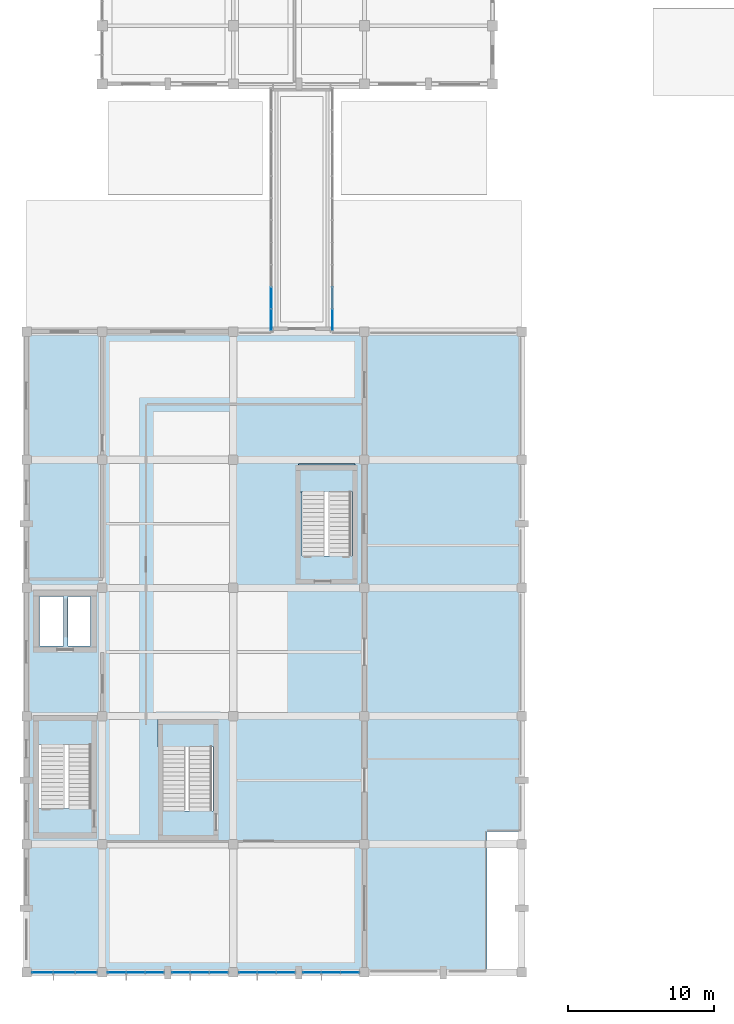
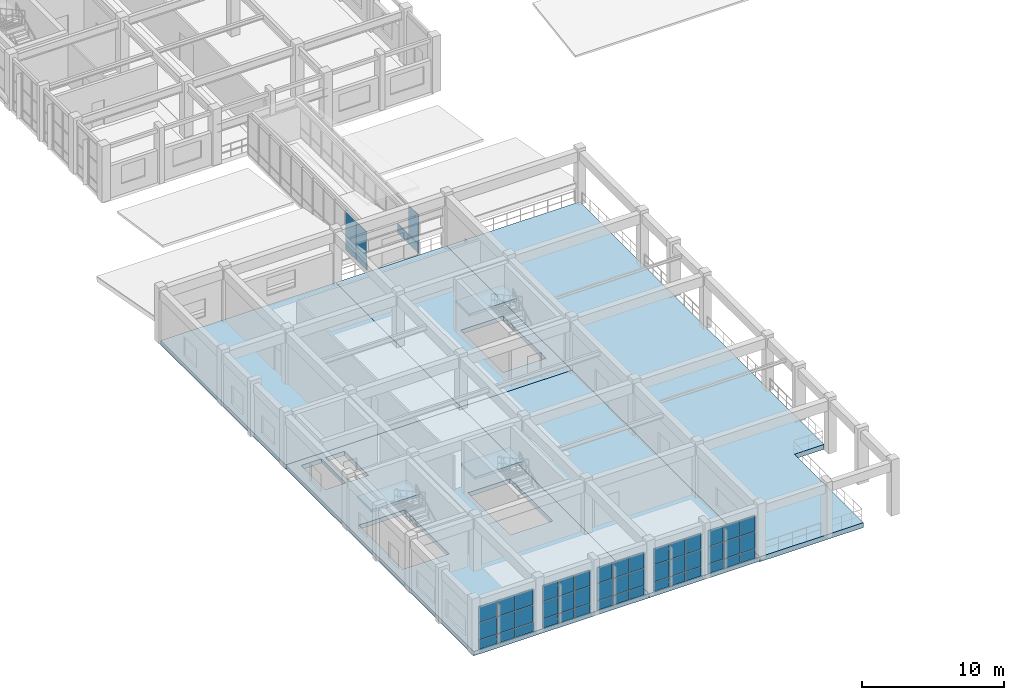
# One storey, part 70 of 104: 52 plates, 8 slabs, 10 elements without a shape of their own.
"""IFC4 building model written with IfcOpenShell, lengths in metres."""

from ifc_helpers import new_model, si_unit, direction, frame, origin, origin_2d, place, context, subcontext, project, spatial, polyline, rectangle, outline, extrude, material, layer, layer_set, type_object, element, aggregate, save


model = new_model("IFC4")

# Units and contexts
model_context = context("Model", 3, precision=1e-05, world=origin(), true_north=direction((0.0, 1.0)))
body_context = subcontext(model_context, "Body", "Model", "MODEL_VIEW")
ifc_project = project(units=[si_unit("LENGTHUNIT", "METRE"), si_unit("AREAUNIT", "SQUARE_METRE"), si_unit("VOLUMEUNIT", "CUBIC_METRE"), si_unit("PLANEANGLEUNIT", "RADIAN"), si_unit("MASSUNIT", "GRAM", prefix="KILO")], contexts=[model_context])

# Site, building, storey
site_placement = place(None, origin())
site = spatial("IfcSite", under=ifc_project, at=site_placement, CompositionType="ELEMENT")
building_placement = place(site_placement, origin())
building = spatial("IfcBuilding", under=site, at=building_placement, Name="Ventoquebrada Cableway Terminal", CompositionType="ELEMENT")
storey_placement = place(building_placement, frame((0.0, 0.0, 4.800048828125)))
storey = spatial("IfcBuildingStorey", under=building, at=storey_placement, Name="L01", CompositionType="ELEMENT", Elevation=4.800048828125)

# Curtain wall, plates
ifc_material_1 = material(Name="Anodized thermally-broken aluminium", Category="aluminium")
ifc_layer_1 = layer(ifc_material_1, 0.159912109375)
ifc_layer_set_1 = layer_set([ifc_layer_1], Name="Anodized thermally-broken aluminium")
curtain_wall_type_1 = type_object("IfcCurtainWallType", Name="CW-T05", PredefinedType="USERDEFINED", material=ifc_layer_set_1)
curtain_wall_1_placement = place(storey_placement, origin())
curtain_wall_1 = element("IfcCurtainWall", 1, at=curtain_wall_1_placement, inside=storey, type_object=curtain_wall_type_1, Name="Unitised glazed curtain wall CW-009", ObjectType="UNITISED CURTAIN WALL", PredefinedType="USERDEFINED")
ifc_material_2 = material(Name="Double low-e laminated safety glazing", Category="glass")
ifc_layer_2 = layer(ifc_material_2, 0.031982421875)
ifc_layer_set_2 = layer_set([ifc_layer_2], Name="Double low-e laminated safety glazing")
plate_type_1 = type_object("IfcPlateType", Name="CWP-GL1", PredefinedType="CURTAIN_PANEL", material=ifc_layer_set_2)
plate_1_placement = place(storey_placement, frame((4.10400390625, 3.0, 2.364501953125), z_axis=(0.0, 0.0, 1.0), x_axis=(1.0, 0.0, 0.0)))
plate_1 = element("IfcPlate", 2, at=plate_1_placement, type_object=plate_type_1, Name="Vision glazing panel PN-0075", PredefinedType="CURTAIN_PANEL", context=body_context, shape_type="SweptSolid", body=[
    extrude(rectangle(XDim=1.428955078125, YDim=0.031982421875, at=origin_2d()), origin(), (0.0, 0.0, 1.0), 1.35107421875),
])
plate_2_placement = place(storey_placement, frame((5.60009765625, 3.0, 0.87451171875), z_axis=(0.0, 0.0, 1.0), x_axis=(1.0, 0.0, 0.0)))
plate_2 = element("IfcPlate", 3, at=plate_2_placement, type_object=plate_type_1, Name="Vision glazing panel PN-0077", PredefinedType="CURTAIN_PANEL", context=body_context, shape_type="SweptSolid", body=[
    extrude(rectangle(XDim=1.464111328125, YDim=0.031982421875, at=origin_2d()), origin(), (0.0, 0.0, 1.0), 1.44091796875),
])
plate_3_placement = place(storey_placement, frame((7.095947265625, 3.0, 2.364501953125), z_axis=(0.0, 0.0, 1.0), x_axis=(1.0, 0.0, 0.0)))
plate_3 = element("IfcPlate", 4, at=plate_3_placement, type_object=plate_type_1, Name="Vision glazing panel PN-0081", PredefinedType="CURTAIN_PANEL", context=body_context, shape_type="SweptSolid", body=[
    extrude(rectangle(XDim=1.428955078125, YDim=0.031982421875, at=origin_2d()), origin(), (0.0, 0.0, 1.0), 1.35107421875),
])

ifc_layer_3 = layer(ifc_material_1, 0.159912109375)
ifc_layer_set_3 = layer_set([ifc_layer_3], Name="Anodized thermally-broken aluminium")
curtain_wall_type_2 = type_object("IfcCurtainWallType", Name="CW-T06", PredefinedType="USERDEFINED", material=ifc_layer_set_3)
curtain_wall_2_placement = place(storey_placement, origin())
curtain_wall_2 = element("IfcCurtainWall", 5, at=curtain_wall_2_placement, inside=storey, type_object=curtain_wall_type_2, Name="Unitised glazed curtain wall CW-010", ObjectType="UNITISED CURTAIN WALL", PredefinedType="USERDEFINED")
plate_4_placement = place(storey_placement, frame((9.2041015625, 3.0, 2.364501953125), z_axis=(0.0, 0.0, 1.0), x_axis=(1.0, 0.0, 0.0)))
plate_4 = element("IfcPlate", 6, at=plate_4_placement, type_object=plate_type_1, Name="Vision glazing panel PN-0084", PredefinedType="CURTAIN_PANEL", context=body_context, shape_type="SweptSolid", body=[
    extrude(rectangle(XDim=1.22900390625, YDim=0.031982421875, at=origin_2d()), origin(), (0.0, 0.0, 1.0), 1.35107421875),
])
plate_5_placement = place(storey_placement, frame((10.5, 3.0, 0.87451171875), z_axis=(0.0, 0.0, 1.0), x_axis=(1.0, 0.0, 0.0)))
plate_5 = element("IfcPlate", 7, at=plate_5_placement, type_object=plate_type_1, Name="Vision glazing panel PN-0086", PredefinedType="CURTAIN_PANEL", context=body_context, shape_type="SweptSolid", body=[
    extrude(rectangle(XDim=1.263916015625, YDim=0.031982421875, at=origin_2d()), origin(), (0.0, 0.0, 1.0), 1.44091796875),
])
plate_6_placement = place(storey_placement, frame((11.7958984375, 3.0, 2.364501953125), z_axis=(0.0, 0.0, 1.0), x_axis=(1.0, 0.0, 0.0)))
plate_6 = element("IfcPlate", 8, at=plate_6_placement, type_object=plate_type_1, Name="Vision glazing panel PN-0090", PredefinedType="CURTAIN_PANEL", context=body_context, shape_type="SweptSolid", body=[
    extrude(rectangle(XDim=1.22900390625, YDim=0.031982421875, at=origin_2d()), origin(), (0.0, 0.0, 1.0), 1.35107421875),
])

curtain_wall_3_placement = place(storey_placement, origin())
curtain_wall_3 = element("IfcCurtainWall", 9, at=curtain_wall_3_placement, inside=storey, type_object=curtain_wall_type_2, Name="Unitised glazed curtain wall CW-011", ObjectType="UNITISED CURTAIN WALL", PredefinedType="USERDEFINED")
plate_7_placement = place(storey_placement, frame((13.60400390625, 3.0, 2.364501953125), z_axis=(0.0, 0.0, 1.0), x_axis=(1.0, 0.0, 0.0)))
plate_7 = element("IfcPlate", 10, at=plate_7_placement, type_object=plate_type_1, Name="Vision glazing panel PN-0093", PredefinedType="CURTAIN_PANEL", context=body_context, shape_type="SweptSolid", body=[
    extrude(rectangle(XDim=1.22900390625, YDim=0.031982421875, at=origin_2d()), origin(), (0.0, 0.0, 1.0), 1.35107421875),
])
plate_8_placement = place(storey_placement, frame((14.89990234375, 3.0, 0.87451171875), z_axis=(0.0, 0.0, 1.0), x_axis=(1.0, 0.0, 0.0)))
plate_8 = element("IfcPlate", 11, at=plate_8_placement, type_object=plate_type_1, Name="Vision glazing panel PN-0095", PredefinedType="CURTAIN_PANEL", context=body_context, shape_type="SweptSolid", body=[
    extrude(rectangle(XDim=1.263916015625, YDim=0.031982421875, at=origin_2d()), origin(), (0.0, 0.0, 1.0), 1.44091796875),
])
plate_9_placement = place(storey_placement, frame((16.196044921875, 3.0, 2.364501953125), z_axis=(0.0, 0.0, 1.0), x_axis=(1.0, 0.0, 0.0)))
plate_9 = element("IfcPlate", 12, at=plate_9_placement, type_object=plate_type_1, Name="Vision glazing panel PN-0099", PredefinedType="CURTAIN_PANEL", context=body_context, shape_type="SweptSolid", body=[
    extrude(rectangle(XDim=1.22900390625, YDim=0.031982421875, at=origin_2d()), origin(), (0.0, 0.0, 1.0), 1.35107421875),
])

curtain_wall_4_placement = place(storey_placement, origin())
curtain_wall_4 = element("IfcCurtainWall", 13, at=curtain_wall_4_placement, inside=storey, type_object=curtain_wall_type_2, Name="Unitised glazed curtain wall CW-012", ObjectType="UNITISED CURTAIN WALL", PredefinedType="USERDEFINED")
plate_10_placement = place(storey_placement, frame((18.2041015625, 3.0, 2.364501953125), z_axis=(0.0, 0.0, 1.0), x_axis=(1.0, 0.0, 0.0)))
plate_10 = element("IfcPlate", 14, at=plate_10_placement, type_object=plate_type_1, Name="Vision glazing panel PN-0102", PredefinedType="CURTAIN_PANEL", context=body_context, shape_type="SweptSolid", body=[
    extrude(rectangle(XDim=1.22900390625, YDim=0.031982421875, at=origin_2d()), origin(), (0.0, 0.0, 1.0), 1.35107421875),
])
plate_11_placement = place(storey_placement, frame((19.5, 3.0, 0.87451171875), z_axis=(0.0, 0.0, 1.0), x_axis=(1.0, 0.0, 0.0)))
plate_11 = element("IfcPlate", 15, at=plate_11_placement, type_object=plate_type_1, Name="Vision glazing panel PN-0104", PredefinedType="CURTAIN_PANEL", context=body_context, shape_type="SweptSolid", body=[
    extrude(rectangle(XDim=1.263916015625, YDim=0.031982421875, at=origin_2d()), origin(), (0.0, 0.0, 1.0), 1.44091796875),
])
plate_12_placement = place(storey_placement, frame((20.7958984375, 3.0, 2.364501953125), z_axis=(0.0, 0.0, 1.0), x_axis=(1.0, 0.0, 0.0)))
plate_12 = element("IfcPlate", 16, at=plate_12_placement, type_object=plate_type_1, Name="Vision glazing panel PN-0108", PredefinedType="CURTAIN_PANEL", context=body_context, shape_type="SweptSolid", body=[
    extrude(rectangle(XDim=1.22900390625, YDim=0.031982421875, at=origin_2d()), origin(), (0.0, 0.0, 1.0), 1.35107421875),
])

curtain_wall_5_placement = place(storey_placement, origin())
curtain_wall_5 = element("IfcCurtainWall", 17, at=curtain_wall_5_placement, inside=storey, type_object=curtain_wall_type_2, Name="Unitised glazed curtain wall CW-013", ObjectType="UNITISED CURTAIN WALL", PredefinedType="USERDEFINED")
plate_13_placement = place(storey_placement, frame((22.60400390625, 3.0, 2.364501953125), z_axis=(0.0, 0.0, 1.0), x_axis=(1.0, 0.0, 0.0)))
plate_13 = element("IfcPlate", 18, at=plate_13_placement, type_object=plate_type_1, Name="Vision glazing panel PN-0111", PredefinedType="CURTAIN_PANEL", context=body_context, shape_type="SweptSolid", body=[
    extrude(rectangle(XDim=1.22900390625, YDim=0.031982421875, at=origin_2d()), origin(), (0.0, 0.0, 1.0), 1.35107421875),
])
plate_14_placement = place(storey_placement, frame((23.89990234375, 3.0, 0.87451171875), z_axis=(0.0, 0.0, 1.0), x_axis=(1.0, 0.0, 0.0)))
plate_14 = element("IfcPlate", 19, at=plate_14_placement, type_object=plate_type_1, Name="Vision glazing panel PN-0113", PredefinedType="CURTAIN_PANEL", context=body_context, shape_type="SweptSolid", body=[
    extrude(rectangle(XDim=1.263916015625, YDim=0.031982421875, at=origin_2d()), origin(), (0.0, 0.0, 1.0), 1.44091796875),
])
plate_15_placement = place(storey_placement, frame((25.196044921875, 3.0, 2.364501953125), z_axis=(0.0, 0.0, 1.0), x_axis=(1.0, 0.0, 0.0)))
plate_15 = element("IfcPlate", 20, at=plate_15_placement, type_object=plate_type_1, Name="Vision glazing panel PN-0117", PredefinedType="CURTAIN_PANEL", context=body_context, shape_type="SweptSolid", body=[
    extrude(rectangle(XDim=1.22900390625, YDim=0.031982421875, at=origin_2d()), origin(), (0.0, 0.0, 1.0), 1.35107421875),
])

# Curtain wall, plate
ifc_layer_4 = layer(ifc_material_1, 0.159912109375)
ifc_layer_set_4 = layer_set([ifc_layer_4], Name="Anodized thermally-broken aluminium")
curtain_wall_type_3 = type_object("IfcCurtainWallType", Name="CW-T51", PredefinedType="USERDEFINED", material=ifc_layer_set_4)
curtain_wall_6_placement = place(storey_placement, origin())
curtain_wall_6 = element("IfcCurtainWall", 21, at=curtain_wall_6_placement, inside=storey, type_object=curtain_wall_type_3, Name="Unitised glazed curtain wall CW-169", ObjectType="UNITISED CURTAIN WALL", PredefinedType="USERDEFINED")
plate_16_placement = place(storey_placement, frame((19.800048828125, 49.322998046875, 0.87158203125), z_axis=(0.0, 0.0, 1.0), x_axis=(0.0, 1.0, 0.0)))
plate_16 = element("IfcPlate", 22, at=plate_16_placement, type_object=plate_type_1, Name="Vision glazing panel PN-1750", PredefinedType="CURTAIN_PANEL", context=body_context, shape_type="SweptSolid", body=[
    extrude(rectangle(XDim=1.47509765625, YDim=0.031982421875, at=origin_2d()), origin(), (0.0, 0.0, 1.0), 2.470947265625),
])

# Plate
ifc_layer_5 = layer(ifc_material_2, 0.0380859375)
ifc_layer_set_5 = layer_set([ifc_layer_5], Name="Double low-e laminated safety glazing")
plate_type_2 = type_object("IfcPlateType", Name="CWP-GL2", PredefinedType="CURTAIN_PANEL", material=ifc_layer_set_5)
plate_17_placement = place(storey_placement, frame((4.10400390625, 3.0, 0.87451171875), z_axis=(0.0, 0.0, 1.0), x_axis=(1.0, 0.0, 0.0)))
plate_17 = element("IfcPlate", 23, at=plate_17_placement, type_object=plate_type_2, Name="Vision glazing panel PN-0074", PredefinedType="CURTAIN_PANEL", context=body_context, shape_type="SweptSolid", body=[
    extrude(rectangle(XDim=1.428955078125, YDim=0.0380859375, at=origin_2d()), origin(), (0.0, 0.0, 1.0), 1.44091796875),
])

plate_18_placement = place(storey_placement, frame((5.60009765625, 3.0, 2.364501953125), z_axis=(0.0, 0.0, 1.0), x_axis=(1.0, 0.0, 0.0)))
plate_18 = element("IfcPlate", 24, at=plate_18_placement, type_object=plate_type_2, Name="Vision glazing panel PN-0078", PredefinedType="CURTAIN_PANEL", context=body_context, shape_type="SweptSolid", body=[
    extrude(rectangle(XDim=1.464111328125, YDim=0.0380859375, at=origin_2d()), origin(), (0.0, 0.0, 1.0), 1.35107421875),
])

plate_19_placement = place(storey_placement, frame((7.095947265625, 3.0, 0.87451171875), z_axis=(0.0, 0.0, 1.0), x_axis=(1.0, 0.0, 0.0)))
plate_19 = element("IfcPlate", 25, at=plate_19_placement, type_object=plate_type_2, Name="Vision glazing panel PN-0080", PredefinedType="CURTAIN_PANEL", context=body_context, shape_type="SweptSolid", body=[
    extrude(rectangle(XDim=1.428955078125, YDim=0.0380859375, at=origin_2d()), origin(), (0.0, 0.0, 1.0), 1.44091796875),
])

plate_20_placement = place(storey_placement, frame((9.2041015625, 3.0, 0.87451171875), z_axis=(0.0, 0.0, 1.0), x_axis=(1.0, 0.0, 0.0)))
plate_20 = element("IfcPlate", 26, at=plate_20_placement, type_object=plate_type_2, Name="Vision glazing panel PN-0083", PredefinedType="CURTAIN_PANEL", context=body_context, shape_type="SweptSolid", body=[
    extrude(rectangle(XDim=1.22900390625, YDim=0.0380859375, at=origin_2d()), origin(), (0.0, 0.0, 1.0), 1.44091796875),
])

plate_21_placement = place(storey_placement, frame((10.5, 3.0, 2.364501953125), z_axis=(0.0, 0.0, 1.0), x_axis=(1.0, 0.0, 0.0)))
plate_21 = element("IfcPlate", 27, at=plate_21_placement, type_object=plate_type_2, Name="Vision glazing panel PN-0087", PredefinedType="CURTAIN_PANEL", context=body_context, shape_type="SweptSolid", body=[
    extrude(rectangle(XDim=1.263916015625, YDim=0.0380859375, at=origin_2d()), origin(), (0.0, 0.0, 1.0), 1.35107421875),
])

plate_22_placement = place(storey_placement, frame((11.7958984375, 3.0, 0.87451171875), z_axis=(0.0, 0.0, 1.0), x_axis=(1.0, 0.0, 0.0)))
plate_22 = element("IfcPlate", 28, at=plate_22_placement, type_object=plate_type_2, Name="Vision glazing panel PN-0089", PredefinedType="CURTAIN_PANEL", context=body_context, shape_type="SweptSolid", body=[
    extrude(rectangle(XDim=1.22900390625, YDim=0.0380859375, at=origin_2d()), origin(), (0.0, 0.0, 1.0), 1.44091796875),
])

plate_23_placement = place(storey_placement, frame((13.60400390625, 3.0, 0.87451171875), z_axis=(0.0, 0.0, 1.0), x_axis=(1.0, 0.0, 0.0)))
plate_23 = element("IfcPlate", 29, at=plate_23_placement, type_object=plate_type_2, Name="Vision glazing panel PN-0092", PredefinedType="CURTAIN_PANEL", context=body_context, shape_type="SweptSolid", body=[
    extrude(rectangle(XDim=1.22900390625, YDim=0.0380859375, at=origin_2d()), origin(), (0.0, 0.0, 1.0), 1.44091796875),
])

plate_24_placement = place(storey_placement, frame((14.89990234375, 3.0, 2.364501953125), z_axis=(0.0, 0.0, 1.0), x_axis=(1.0, 0.0, 0.0)))
plate_24 = element("IfcPlate", 30, at=plate_24_placement, type_object=plate_type_2, Name="Vision glazing panel PN-0096", PredefinedType="CURTAIN_PANEL", context=body_context, shape_type="SweptSolid", body=[
    extrude(rectangle(XDim=1.263916015625, YDim=0.0380859375, at=origin_2d()), origin(), (0.0, 0.0, 1.0), 1.35107421875),
])

plate_25_placement = place(storey_placement, frame((16.196044921875, 3.0, 0.87451171875), z_axis=(0.0, 0.0, 1.0), x_axis=(1.0, 0.0, 0.0)))
plate_25 = element("IfcPlate", 31, at=plate_25_placement, type_object=plate_type_2, Name="Vision glazing panel PN-0098", PredefinedType="CURTAIN_PANEL", context=body_context, shape_type="SweptSolid", body=[
    extrude(rectangle(XDim=1.22900390625, YDim=0.0380859375, at=origin_2d()), origin(), (0.0, 0.0, 1.0), 1.44091796875),
])

plate_26_placement = place(storey_placement, frame((18.2041015625, 3.0, 0.87451171875), z_axis=(0.0, 0.0, 1.0), x_axis=(1.0, 0.0, 0.0)))
plate_26 = element("IfcPlate", 32, at=plate_26_placement, type_object=plate_type_2, Name="Vision glazing panel PN-0101", PredefinedType="CURTAIN_PANEL", context=body_context, shape_type="SweptSolid", body=[
    extrude(rectangle(XDim=1.22900390625, YDim=0.0380859375, at=origin_2d()), origin(), (0.0, 0.0, 1.0), 1.44091796875),
])

plate_27_placement = place(storey_placement, frame((19.5, 3.0, 2.364501953125), z_axis=(0.0, 0.0, 1.0), x_axis=(1.0, 0.0, 0.0)))
plate_27 = element("IfcPlate", 33, at=plate_27_placement, type_object=plate_type_2, Name="Vision glazing panel PN-0105", PredefinedType="CURTAIN_PANEL", context=body_context, shape_type="SweptSolid", body=[
    extrude(rectangle(XDim=1.263916015625, YDim=0.0380859375, at=origin_2d()), origin(), (0.0, 0.0, 1.0), 1.35107421875),
])

plate_28_placement = place(storey_placement, frame((20.7958984375, 3.0, 0.87451171875), z_axis=(0.0, 0.0, 1.0), x_axis=(1.0, 0.0, 0.0)))
plate_28 = element("IfcPlate", 34, at=plate_28_placement, type_object=plate_type_2, Name="Vision glazing panel PN-0107", PredefinedType="CURTAIN_PANEL", context=body_context, shape_type="SweptSolid", body=[
    extrude(rectangle(XDim=1.22900390625, YDim=0.0380859375, at=origin_2d()), origin(), (0.0, 0.0, 1.0), 1.44091796875),
])

plate_29_placement = place(storey_placement, frame((22.60400390625, 3.0, 0.87451171875), z_axis=(0.0, 0.0, 1.0), x_axis=(1.0, 0.0, 0.0)))
plate_29 = element("IfcPlate", 35, at=plate_29_placement, type_object=plate_type_2, Name="Vision glazing panel PN-0110", PredefinedType="CURTAIN_PANEL", context=body_context, shape_type="SweptSolid", body=[
    extrude(rectangle(XDim=1.22900390625, YDim=0.0380859375, at=origin_2d()), origin(), (0.0, 0.0, 1.0), 1.44091796875),
])

plate_30_placement = place(storey_placement, frame((23.89990234375, 3.0, 2.364501953125), z_axis=(0.0, 0.0, 1.0), x_axis=(1.0, 0.0, 0.0)))
plate_30 = element("IfcPlate", 36, at=plate_30_placement, type_object=plate_type_2, Name="Vision glazing panel PN-0114", PredefinedType="CURTAIN_PANEL", context=body_context, shape_type="SweptSolid", body=[
    extrude(rectangle(XDim=1.263916015625, YDim=0.0380859375, at=origin_2d()), origin(), (0.0, 0.0, 1.0), 1.35107421875),
])

plate_31_placement = place(storey_placement, frame((25.196044921875, 3.0, 0.87451171875), z_axis=(0.0, 0.0, 1.0), x_axis=(1.0, 0.0, 0.0)))
plate_31 = element("IfcPlate", 37, at=plate_31_placement, type_object=plate_type_2, Name="Vision glazing panel PN-0116", PredefinedType="CURTAIN_PANEL", context=body_context, shape_type="SweptSolid", body=[
    extrude(rectangle(XDim=1.22900390625, YDim=0.0380859375, at=origin_2d()), origin(), (0.0, 0.0, 1.0), 1.44091796875),
])

plate_32_placement = place(storey_placement, frame((19.800048828125, 47.822021484375, 0.87158203125), z_axis=(0.0, 0.0, 1.0), x_axis=(0.0, 1.0, 0.0)))
plate_32 = element("IfcPlate", 38, at=plate_32_placement, type_object=plate_type_2, Name="Vision glazing panel PN-1748", PredefinedType="CURTAIN_PANEL", context=body_context, shape_type="SweptSolid", body=[
    extrude(rectangle(XDim=1.43994140625, YDim=0.0380859375, at=origin_2d()), origin(), (0.0, 0.0, 1.0), 2.470947265625),
])

# Curtain wall, plate
curtain_wall_7_placement = place(storey_placement, origin())
curtain_wall_7 = element("IfcCurtainWall", 39, at=curtain_wall_7_placement, inside=storey, type_object=curtain_wall_type_3, Name="Unitised glazed curtain wall CW-170", ObjectType="UNITISED CURTAIN WALL", PredefinedType="USERDEFINED")
plate_33_placement = place(storey_placement, frame((24.0, 47.822021484375, 0.87158203125), z_axis=(0.0, 0.0, 1.0), x_axis=(0.0, -1.0, 0.0)))
plate_33 = element("IfcPlate", 40, at=plate_33_placement, type_object=plate_type_2, Name="Vision glazing panel PN-1790", PredefinedType="CURTAIN_PANEL", context=body_context, shape_type="SweptSolid", body=[
    extrude(rectangle(XDim=1.43994140625, YDim=0.0380859375, at=origin_2d()), origin(), (0.0, 0.0, 1.0), 2.470947265625),
])

# Plate
ifc_material_3 = material(Name="Insulated aluminium spandrel cassette", Category="aluminium")
ifc_layer_6 = layer(ifc_material_3, 0.044921875)
ifc_layer_set_6 = layer_set([ifc_layer_6], Name="Insulated aluminium spandrel cassette")
plate_type_3 = type_object("IfcPlateType", Name="CWP-SP1", PredefinedType="CURTAIN_PANEL", material=ifc_layer_set_6)
plate_34_placement = place(storey_placement, frame((4.10400390625, 3.0, 0.058837890625), z_axis=(0.0, 0.0, 1.0), x_axis=(1.0, 0.0, 0.0)))
plate_34 = element("IfcPlate", 41, at=plate_34_placement, type_object=plate_type_3, Name="Insulated spandrel panel PN-0073", PredefinedType="CURTAIN_PANEL", context=body_context, shape_type="SweptSolid", body=[
    extrude(rectangle(XDim=1.428955078125, YDim=0.044921875, at=origin_2d()), origin(), (0.0, 0.0, 1.0), 0.76611328125),
])

plate_35_placement = place(storey_placement, frame((5.60009765625, 3.0, 0.058837890625), z_axis=(0.0, 0.0, 1.0), x_axis=(1.0, 0.0, 0.0)))
plate_35 = element("IfcPlate", 42, at=plate_35_placement, type_object=plate_type_3, Name="Insulated spandrel panel PN-0076", PredefinedType="CURTAIN_PANEL", context=body_context, shape_type="SweptSolid", body=[
    extrude(rectangle(XDim=1.464111328125, YDim=0.044921875, at=origin_2d()), origin(), (0.0, 0.0, 1.0), 0.76611328125),
])

plate_36_placement = place(storey_placement, frame((7.095947265625, 3.0, 0.058837890625), z_axis=(0.0, 0.0, 1.0), x_axis=(1.0, 0.0, 0.0)))
plate_36 = element("IfcPlate", 43, at=plate_36_placement, type_object=plate_type_3, Name="Insulated spandrel panel PN-0079", PredefinedType="CURTAIN_PANEL", context=body_context, shape_type="SweptSolid", body=[
    extrude(rectangle(XDim=1.428955078125, YDim=0.044921875, at=origin_2d()), origin(), (0.0, 0.0, 1.0), 0.76611328125),
])

aggregate(curtain_wall_1, [plate_34, plate_17, plate_1, plate_35, plate_2, plate_18, plate_36, plate_19, plate_3])

plate_37_placement = place(storey_placement, frame((9.2041015625, 3.0, 0.058837890625), z_axis=(0.0, 0.0, 1.0), x_axis=(1.0, 0.0, 0.0)))
plate_37 = element("IfcPlate", 44, at=plate_37_placement, type_object=plate_type_3, Name="Insulated spandrel panel PN-0082", PredefinedType="CURTAIN_PANEL", context=body_context, shape_type="SweptSolid", body=[
    extrude(rectangle(XDim=1.22900390625, YDim=0.044921875, at=origin_2d()), origin(), (0.0, 0.0, 1.0), 0.76611328125),
])

plate_38_placement = place(storey_placement, frame((10.5, 3.0, 0.058837890625), z_axis=(0.0, 0.0, 1.0), x_axis=(1.0, 0.0, 0.0)))
plate_38 = element("IfcPlate", 45, at=plate_38_placement, type_object=plate_type_3, Name="Insulated spandrel panel PN-0085", PredefinedType="CURTAIN_PANEL", context=body_context, shape_type="SweptSolid", body=[
    extrude(rectangle(XDim=1.263916015625, YDim=0.044921875, at=origin_2d()), origin(), (0.0, 0.0, 1.0), 0.76611328125),
])

plate_39_placement = place(storey_placement, frame((11.7958984375, 3.0, 0.058837890625), z_axis=(0.0, 0.0, 1.0), x_axis=(1.0, 0.0, 0.0)))
plate_39 = element("IfcPlate", 46, at=plate_39_placement, type_object=plate_type_3, Name="Insulated spandrel panel PN-0088", PredefinedType="CURTAIN_PANEL", context=body_context, shape_type="SweptSolid", body=[
    extrude(rectangle(XDim=1.22900390625, YDim=0.044921875, at=origin_2d()), origin(), (0.0, 0.0, 1.0), 0.76611328125),
])

aggregate(curtain_wall_2, [plate_37, plate_20, plate_4, plate_38, plate_5, plate_21, plate_39, plate_22, plate_6])

plate_40_placement = place(storey_placement, frame((13.60400390625, 3.0, 0.058837890625), z_axis=(0.0, 0.0, 1.0), x_axis=(1.0, 0.0, 0.0)))
plate_40 = element("IfcPlate", 47, at=plate_40_placement, type_object=plate_type_3, Name="Insulated spandrel panel PN-0091", PredefinedType="CURTAIN_PANEL", context=body_context, shape_type="SweptSolid", body=[
    extrude(rectangle(XDim=1.22900390625, YDim=0.044921875, at=origin_2d()), origin(), (0.0, 0.0, 1.0), 0.76611328125),
])

plate_41_placement = place(storey_placement, frame((14.89990234375, 3.0, 0.058837890625), z_axis=(0.0, 0.0, 1.0), x_axis=(1.0, 0.0, 0.0)))
plate_41 = element("IfcPlate", 48, at=plate_41_placement, type_object=plate_type_3, Name="Insulated spandrel panel PN-0094", PredefinedType="CURTAIN_PANEL", context=body_context, shape_type="SweptSolid", body=[
    extrude(rectangle(XDim=1.263916015625, YDim=0.044921875, at=origin_2d()), origin(), (0.0, 0.0, 1.0), 0.76611328125),
])

plate_42_placement = place(storey_placement, frame((16.196044921875, 3.0, 0.058837890625), z_axis=(0.0, 0.0, 1.0), x_axis=(1.0, 0.0, 0.0)))
plate_42 = element("IfcPlate", 49, at=plate_42_placement, type_object=plate_type_3, Name="Insulated spandrel panel PN-0097", PredefinedType="CURTAIN_PANEL", context=body_context, shape_type="SweptSolid", body=[
    extrude(rectangle(XDim=1.22900390625, YDim=0.044921875, at=origin_2d()), origin(), (0.0, 0.0, 1.0), 0.76611328125),
])

aggregate(curtain_wall_3, [plate_40, plate_23, plate_7, plate_41, plate_8, plate_24, plate_42, plate_25, plate_9])

plate_43_placement = place(storey_placement, frame((18.2041015625, 3.0, 0.058837890625), z_axis=(0.0, 0.0, 1.0), x_axis=(1.0, 0.0, 0.0)))
plate_43 = element("IfcPlate", 50, at=plate_43_placement, type_object=plate_type_3, Name="Insulated spandrel panel PN-0100", PredefinedType="CURTAIN_PANEL", context=body_context, shape_type="SweptSolid", body=[
    extrude(rectangle(XDim=1.22900390625, YDim=0.044921875, at=origin_2d()), origin(), (0.0, 0.0, 1.0), 0.76611328125),
])

plate_44_placement = place(storey_placement, frame((19.5, 3.0, 0.058837890625), z_axis=(0.0, 0.0, 1.0), x_axis=(1.0, 0.0, 0.0)))
plate_44 = element("IfcPlate", 51, at=plate_44_placement, type_object=plate_type_3, Name="Insulated spandrel panel PN-0103", PredefinedType="CURTAIN_PANEL", context=body_context, shape_type="SweptSolid", body=[
    extrude(rectangle(XDim=1.263916015625, YDim=0.044921875, at=origin_2d()), origin(), (0.0, 0.0, 1.0), 0.76611328125),
])

plate_45_placement = place(storey_placement, frame((20.7958984375, 3.0, 0.058837890625), z_axis=(0.0, 0.0, 1.0), x_axis=(1.0, 0.0, 0.0)))
plate_45 = element("IfcPlate", 52, at=plate_45_placement, type_object=plate_type_3, Name="Insulated spandrel panel PN-0106", PredefinedType="CURTAIN_PANEL", context=body_context, shape_type="SweptSolid", body=[
    extrude(rectangle(XDim=1.22900390625, YDim=0.044921875, at=origin_2d()), origin(), (0.0, 0.0, 1.0), 0.76611328125),
])

aggregate(curtain_wall_4, [plate_43, plate_26, plate_10, plate_44, plate_11, plate_27, plate_45, plate_28, plate_12])

plate_46_placement = place(storey_placement, frame((22.60400390625, 3.0, 0.058837890625), z_axis=(0.0, 0.0, 1.0), x_axis=(1.0, 0.0, 0.0)))
plate_46 = element("IfcPlate", 53, at=plate_46_placement, type_object=plate_type_3, Name="Insulated spandrel panel PN-0109", PredefinedType="CURTAIN_PANEL", context=body_context, shape_type="SweptSolid", body=[
    extrude(rectangle(XDim=1.22900390625, YDim=0.044921875, at=origin_2d()), origin(), (0.0, 0.0, 1.0), 0.76611328125),
])

plate_47_placement = place(storey_placement, frame((23.89990234375, 3.0, 0.058837890625), z_axis=(0.0, 0.0, 1.0), x_axis=(1.0, 0.0, 0.0)))
plate_47 = element("IfcPlate", 54, at=plate_47_placement, type_object=plate_type_3, Name="Insulated spandrel panel PN-0112", PredefinedType="CURTAIN_PANEL", context=body_context, shape_type="SweptSolid", body=[
    extrude(rectangle(XDim=1.263916015625, YDim=0.044921875, at=origin_2d()), origin(), (0.0, 0.0, 1.0), 0.76611328125),
])

plate_48_placement = place(storey_placement, frame((25.196044921875, 3.0, 0.058837890625), z_axis=(0.0, 0.0, 1.0), x_axis=(1.0, 0.0, 0.0)))
plate_48 = element("IfcPlate", 55, at=plate_48_placement, type_object=plate_type_3, Name="Insulated spandrel panel PN-0115", PredefinedType="CURTAIN_PANEL", context=body_context, shape_type="SweptSolid", body=[
    extrude(rectangle(XDim=1.22900390625, YDim=0.044921875, at=origin_2d()), origin(), (0.0, 0.0, 1.0), 0.76611328125),
])

aggregate(curtain_wall_5, [plate_46, plate_29, plate_13, plate_47, plate_14, plate_30, plate_48, plate_31, plate_15])

plate_49_placement = place(storey_placement, frame((19.800048828125, 47.822021484375, 0.056396484375), z_axis=(0.0, 0.0, 1.0), x_axis=(0.0, 1.0, 0.0)))
plate_49 = element("IfcPlate", 56, at=plate_49_placement, type_object=plate_type_3, Name="Insulated spandrel panel PN-1747", PredefinedType="CURTAIN_PANEL", context=body_context, shape_type="SweptSolid", body=[
    extrude(rectangle(XDim=1.43994140625, YDim=0.044921875, at=origin_2d()), origin(), (0.0, 0.0, 1.0), 0.77099609375),
])

plate_50_placement = place(storey_placement, frame((19.800048828125, 49.322998046875, 0.056396484375), z_axis=(0.0, 0.0, 1.0), x_axis=(0.0, 1.0, 0.0)))
plate_50 = element("IfcPlate", 57, at=plate_50_placement, type_object=plate_type_3, Name="Insulated spandrel panel PN-1749", PredefinedType="CURTAIN_PANEL", context=body_context, shape_type="SweptSolid", body=[
    extrude(rectangle(XDim=1.47509765625, YDim=0.044921875, at=origin_2d()), origin(), (0.0, 0.0, 1.0), 0.77099609375),
])

aggregate(curtain_wall_6, [plate_49, plate_32, plate_50, plate_16])

plate_51_placement = place(storey_placement, frame((24.0, 49.322998046875, 0.056396484375), z_axis=(0.0, 0.0, 1.0), x_axis=(0.0, -1.0, 0.0)))
plate_51 = element("IfcPlate", 58, at=plate_51_placement, type_object=plate_type_3, Name="Insulated spandrel panel PN-1787", PredefinedType="CURTAIN_PANEL", context=body_context, shape_type="SweptSolid", body=[
    extrude(rectangle(XDim=1.47509765625, YDim=0.044921875, at=origin_2d()), origin(), (0.0, 0.0, 1.0), 0.77099609375),
])

plate_52_placement = place(storey_placement, frame((24.0, 47.822021484375, 0.056396484375), z_axis=(0.0, 0.0, 1.0), x_axis=(0.0, -1.0, 0.0)))
plate_52 = element("IfcPlate", 59, at=plate_52_placement, type_object=plate_type_3, Name="Insulated spandrel panel PN-1789", PredefinedType="CURTAIN_PANEL", context=body_context, shape_type="SweptSolid", body=[
    extrude(rectangle(XDim=1.43994140625, YDim=0.044921875, at=origin_2d()), origin(), (0.0, 0.0, 1.0), 0.77099609375),
])

aggregate(curtain_wall_7, [plate_51, plate_52, plate_33])

# Slabs
ifc_material_4 = material(Name="Concrete C40/50", Category="concrete")
ifc_layer_7 = layer(ifc_material_4, 0.360107421875)
ifc_layer_set_7 = layer_set([ifc_layer_7], Name="Concrete C40/50")
slab_type_1 = type_object("IfcSlabType", Name="SL-FL1", PredefinedType="FLOOR", material=ifc_layer_set_7)
slab_1_placement = place(storey_placement, frame((0.0, 0.0, -0.360107421875)))
element("IfcSlab", 60, at=slab_1_placement, inside=storey, type_object=slab_type_1, Name="Reinforced concrete floor slab SL-007", PredefinedType="FLOOR", context=body_context, shape_type="SweptSolid", body=[
    extrude(outline(polyline([(17.199951171875, 29.39990234375), (3.0, 29.39990234375), (3.0, 3.0), (17.199951171875, 3.0), (17.199951171875, 29.39990234375)]), holes=[polyline([(3.75, 14.239990234375), (3.75, 20.449951171875), (7.5, 20.449951171875), (7.5, 14.239990234375), (3.75, 14.239990234375)]), polyline([(3.89990234375, 28.800048828125), (5.550048828125, 28.800048828125), (5.550048828125, 25.39990234375), (3.89990234375, 25.39990234375), (3.89990234375, 28.800048828125)]), polyline([(7.39990234375, 28.800048828125), (7.39990234375, 25.39990234375), (5.85009765625, 25.39990234375), (5.85009765625, 28.800048828125), (7.39990234375, 28.800048828125)]), polyline([(15.800048828125, 14.090087890625), (12.3798828125, 14.090087890625), (12.3798828125, 20.050048828125), (15.800048828125, 20.050048828125), (15.800048828125, 14.090087890625)])]), origin(), (0.0, 0.0, 1.0), 0.360107421875),
])
slab_2_placement = place(storey_placement, frame((0.0, 0.0, -0.360107421875)))
element("IfcSlab", 61, at=slab_2_placement, inside=storey, type_object=slab_type_1, Name="Reinforced concrete floor slab SL-008", PredefinedType="FLOOR", context=body_context, shape_type="SweptSolid", body=[
    extrude(outline(polyline([(17.199951171875, 29.39990234375), (17.199951171875, 47.0), (3.0, 47.0), (3.0, 29.39990234375), (17.199951171875, 29.39990234375)])), origin(), (0.0, 0.0, 1.0), 0.360107421875),
])
slab_3_placement = place(storey_placement, frame((0.0, 0.0, -0.360107421875)))
element("IfcSlab", 62, at=slab_3_placement, inside=storey, type_object=slab_type_1, Name="Reinforced concrete floor slab SL-009", PredefinedType="FLOOR", context=body_context, shape_type="SweptSolid", body=[
    extrude(outline(polyline([(26.199951171875, 3.0), (26.199951171875, 29.39990234375), (17.199951171875, 29.39990234375), (17.199951171875, 3.0), (26.199951171875, 3.0)])), origin(), (0.0, 0.0, 1.0), 0.360107421875),
])
slab_4_placement = place(storey_placement, frame((0.0, 0.0, -0.360107421875)))
element("IfcSlab", 63, at=slab_4_placement, inside=storey, type_object=slab_type_1, Name="Reinforced concrete floor slab SL-010", PredefinedType="FLOOR", context=body_context, shape_type="SweptSolid", body=[
    extrude(outline(polyline([(26.199951171875, 29.39990234375), (26.199951171875, 47.0), (17.199951171875, 47.0), (17.199951171875, 29.39990234375), (26.199951171875, 29.39990234375)]), holes=[polyline([(25.35009765625, 31.590087890625), (21.89990234375, 31.590087890625), (21.89990234375, 37.550048828125), (25.35009765625, 37.550048828125), (25.35009765625, 31.590087890625)])]), origin(), (0.0, 0.0, 1.0), 0.360107421875),
])

# Stair, slab
stair_type_1 = type_object("IfcStairType", Name="ST-T03", PredefinedType="HALF_TURN_STAIR", material=ifc_material_4)
stair_1_placement = place(storey_placement, origin())
stair_1 = element("IfcStair", 64, at=stair_1_placement, inside=storey, type_object=stair_type_1, Name="Protected half-turn stair ST-05", PredefinedType="HALF_TURN_STAIR")
ifc_layer_8 = layer(ifc_material_4, 0.219970703125)
ifc_layer_set_8 = layer_set([ifc_layer_8], Name="Concrete C40/50")
slab_type_2 = type_object("IfcSlabType", Name="SL-LD1", PredefinedType="LANDING", material=ifc_layer_set_8)
slab_5_placement = place(storey_placement, frame((0.0, 0.0, 2.179931640625)))
slab_5 = element("IfcSlab", 65, at=slab_5_placement, type_object=slab_type_2, Name="Intermediate stair landing LDG-005", PredefinedType="LANDING", context=body_context, shape_type="SweptSolid", body=[
    extrude(outline(polyline([(7.7099609375, 18.639892578125), (7.7099609375, 20.610107421875), (3.72998046875, 20.610107421875), (3.72998046875, 18.639892578125), (7.7099609375, 18.639892578125)])), origin(), (0.0, 0.0, 1.0), 0.219970703125),
])
aggregate(stair_1, [slab_5])

stair_type_2 = type_object("IfcStairType", Name="ST-T04", PredefinedType="HALF_TURN_STAIR", material=ifc_material_4)
stair_2_placement = place(storey_placement, origin())
stair_2 = element("IfcStair", 66, at=stair_2_placement, inside=storey, type_object=stair_type_2, Name="Protected half-turn stair ST-06", PredefinedType="HALF_TURN_STAIR")
slab_6_placement = place(storey_placement, frame((0.0, 0.0, 2.179931640625)))
slab_6 = element("IfcSlab", 67, at=slab_6_placement, type_object=slab_type_2, Name="Intermediate stair landing LDG-006", PredefinedType="LANDING", context=body_context, shape_type="SweptSolid", body=[
    extrude(outline(polyline([(25.56005859375, 35.989990234375), (25.56005859375, 37.909912109375), (21.679931640625, 37.909912109375), (21.679931640625, 35.989990234375), (25.56005859375, 35.989990234375)])), origin(), (0.0, 0.0, 1.0), 0.219970703125),
])
aggregate(stair_2, [slab_6])

stair_3_placement = place(storey_placement, origin())
stair_3 = element("IfcStair", 68, at=stair_3_placement, inside=storey, type_object=stair_type_1, Name="Protected half-turn stair ST-10", PredefinedType="HALF_TURN_STAIR")
slab_7_placement = place(storey_placement, frame((0.0, 0.0, 2.179931640625)))
slab_7 = element("IfcSlab", 69, at=slab_7_placement, type_object=slab_type_2, Name="Intermediate stair landing LDG-010", PredefinedType="LANDING", context=body_context, shape_type="SweptSolid", body=[
    extrude(outline(polyline([(16.010009765625, 18.489990234375), (16.010009765625, 20.4599609375), (12.030029296875, 20.4599609375), (12.030029296875, 18.489990234375), (16.010009765625, 18.489990234375)])), origin(), (0.0, 0.0, 1.0), 0.219970703125),
])
aggregate(stair_3, [slab_7])

# Slab
ifc_layer_9 = layer(ifc_material_4, 0.419921875)
ifc_layer_set_9 = layer_set([ifc_layer_9], Name="Concrete C40/50")
slab_type_3 = type_object("IfcSlabType", Name="SL-TR1", PredefinedType="FLOOR", material=ifc_layer_set_9)
slab_8_placement = place(storey_placement, frame((0.0, 0.0, -0.420166015625)))
element("IfcSlab", 70, at=slab_8_placement, inside=storey, type_object=slab_type_3, Name="Outdoor plaza terrace slab SL-065", PredefinedType="FLOOR", context=body_context, shape_type="SweptSolid", body=[
    extrude(outline(polyline([(34.60009765625, 3.0), (34.60009765625, 12.679931640625), (37.0, 12.679931640625), (37.0, 47.0), (26.199951171875, 47.0), (26.199951171875, 3.0), (34.60009765625, 3.0)])), origin(), (0.0, 0.0, 1.0), 0.420166015625),
])

save(model, "model.ifc")
